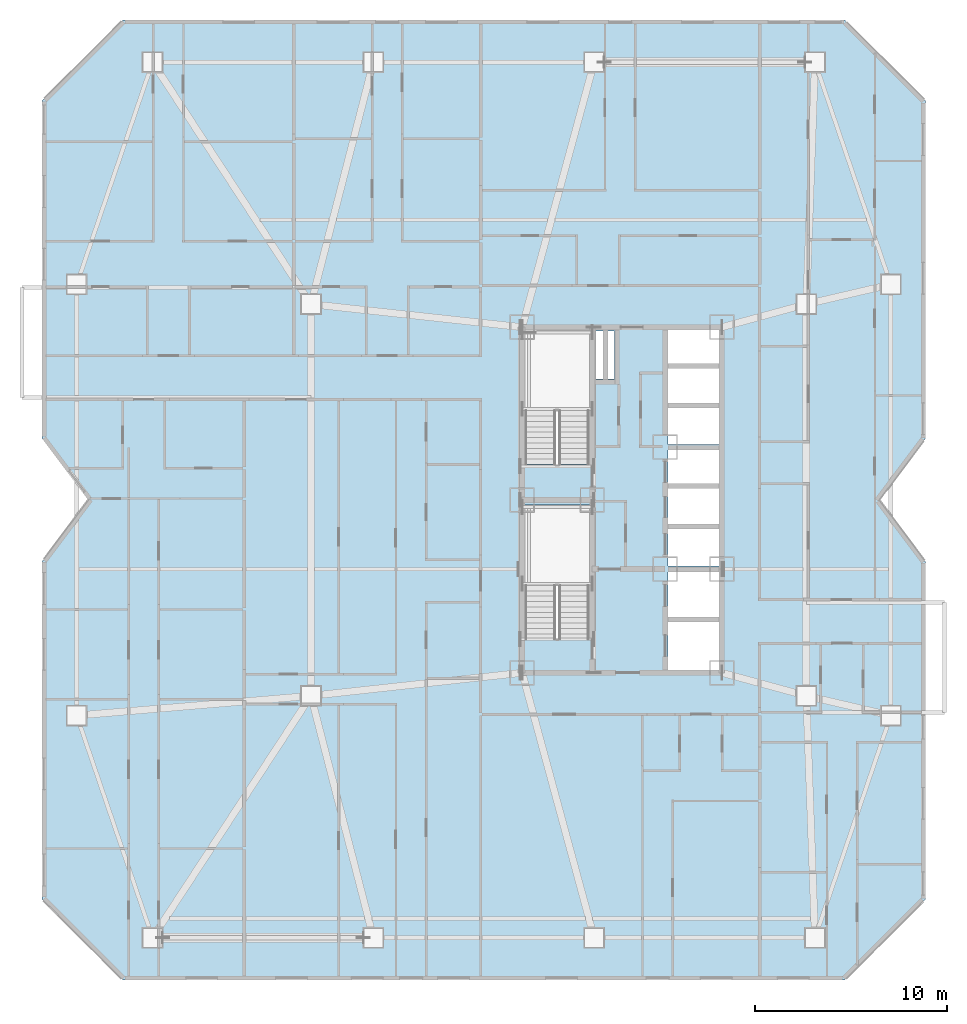
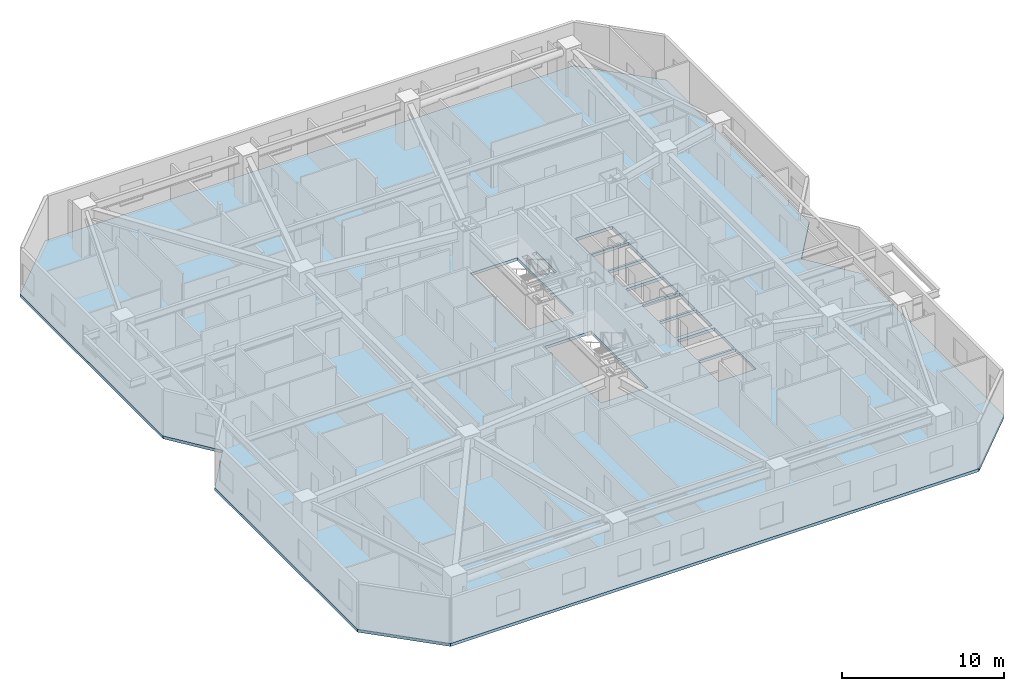
# One storey, part 3 of 17: 1 slab.
"""IFC4 building model written with IfcOpenShell, lengths in metres."""

import ifcopenshell
import ifcopenshell.guid

model = None  # the IFC model being written
_history = None  # IfcOwnerHistory: only IFC2X3 demands one
_inside = {}  # id of a spatial element -> (the spatial element, [elements in it])
_under = {}  # id of a project, library or spatial element -> (it, [spatial elements below it])
_declared = {}  # id of a project -> (the project, [libraries it declares])
_typed = {}  # id of a type object -> (the type object, [elements of that type])
_made_of = {}  # id of a material, layer set ... -> (it, [elements and type objects made of it])


def new_model(schema):
    """Start an empty IFC model of exactly this schema.

    Asked for "IFC4X3", IfcOpenShell would pick the latest addendum, in which some entities
    have other attributes; the version numbers below select the first issue.
    IFC2X3 requires an IfcOwnerHistory on every rooted entity: one is made here for all.
    """
    global model, _history
    if schema == "IFC4X3":
        model = ifcopenshell.file(schema_version=(4, 3, 0, 0))
    else:
        model = ifcopenshell.file(schema=schema)
    _inside.clear()
    _under.clear()
    _declared.clear()
    _typed.clear()
    _made_of.clear()
    _history = None
    if model.schema == "IFC2X3":
        org = make("IfcOrganization", Name="unknown")
        user = make(
            "IfcPersonAndOrganization",
            ThePerson=make("IfcPerson", FamilyName="unknown"),
            TheOrganization=org,
        )
        app = make(
            "IfcApplication",
            ApplicationDeveloper=org,
            Version="unknown",
            ApplicationFullName="unknown",
            ApplicationIdentifier="unknown",
        )
        _history = make(
            "IfcOwnerHistory",
            OwningUser=user,
            OwningApplication=app,
            ChangeAction="ADDED",
            CreationDate=0,
        )
    return model


def make(cls, **values):
    """One entity of the class cls with the attributes given. An attribute that is None is left unset."""
    return model.create_entity(
        cls, **{name: value for name, value in values.items() if value is not None}
    )


def rooted(cls, **values):
    """An entity with a GlobalId (a new one), such as an element, a storey or a relation."""
    return make(cls, GlobalId=ifcopenshell.guid.new(), OwnerHistory=_history, **values)


def si_unit(unit_type, name, prefix=None):
    """IfcSIUnit, for example si_unit("LENGTHUNIT", "METRE", prefix="MILLI")."""
    return make("IfcSIUnit", UnitType=unit_type, Prefix=prefix, Name=name)


def assignment(units):
    """IfcUnitAssignment: the units of a project."""
    return None if units is None else make("IfcUnitAssignment", Units=units)


def point(xyz):
    """IfcCartesianPoint."""
    return None if xyz is None else make("IfcCartesianPoint", Coordinates=xyz)


def direction(xyz):
    """IfcDirection."""
    return None if xyz is None else make("IfcDirection", DirectionRatios=xyz)


def frame(location, z_axis=None, x_axis=None):
    """IfcAxis2Placement3D, a coordinate frame: its origin and axes. An axis left out is left unset."""
    return make(
        "IfcAxis2Placement3D",
        Location=point(location),
        Axis=direction(z_axis),
        RefDirection=direction(x_axis),
    )


def origin():
    """The frame at (0, 0, 0) with its axes left unset."""
    return frame((0.0, 0.0, 0.0))


def place(relative_to, where):
    """IfcLocalPlacement: puts the frame where relative to a parent placement (None: the world)."""
    return make(
        "IfcLocalPlacement", PlacementRelTo=relative_to, RelativePlacement=where
    )


def context(
    kind, dimensions, precision=None, world=None, true_north=None, identifier=None
):
    """IfcGeometricRepresentationContext, for example the 3D "Model" context."""
    return make(
        "IfcGeometricRepresentationContext",
        ContextIdentifier=identifier,
        ContextType=kind,
        CoordinateSpaceDimension=dimensions,
        Precision=precision,
        WorldCoordinateSystem=world,
        TrueNorth=true_north,
    )


def subcontext(parent, identifier, kind, view, scale=None):
    """IfcGeometricRepresentationSubContext, for example "Body" below "Model"."""
    return make(
        "IfcGeometricRepresentationSubContext",
        ContextIdentifier=identifier,
        ContextType=kind,
        ParentContext=parent,
        TargetScale=scale,
        TargetView=view,
    )


def project(units=None, contexts=None):
    """IfcProject with its units and contexts."""
    return rooted(
        "IfcProject",
        Name="project",
        RepresentationContexts=contexts,
        UnitsInContext=assignment(units),
    )


def spatial(cls, under=None, at=None, **own):
    """A site, building, storey or space (cls), placed at a placement, below another one or the project."""
    s = rooted(cls, ObjectPlacement=at, **own)
    if under is not None:
        _under.setdefault(under.id(), (under, []))[1].append(s)
    return s


def polyline(points):
    """IfcPolyline through the points."""
    return make("IfcPolyline", Points=[point(p) for p in points])


def outline(outer, holes=None, kind="AREA"):
    """IfcArbitraryClosedProfileDef: a profile drawn as a closed curve; with holes, ...WithVoids."""
    if holes is None:
        return make("IfcArbitraryClosedProfileDef", ProfileType=kind, OuterCurve=outer)
    return make(
        "IfcArbitraryProfileDefWithVoids",
        ProfileType=kind,
        OuterCurve=outer,
        InnerCurves=holes,
    )


def extrude(swept, where, along, depth):
    """IfcExtrudedAreaSolid: the profile swept, set in the frame where, extruded along a direction by depth."""
    return make(
        "IfcExtrudedAreaSolid",
        SweptArea=swept,
        Position=where,
        ExtrudedDirection=direction(along),
        Depth=depth,
    )


def shape(context_of_items, identifier, shape_type, items):
    """IfcShapeRepresentation: the items that make up one representation, for example the "Body"."""
    return make(
        "IfcShapeRepresentation",
        ContextOfItems=context_of_items,
        RepresentationIdentifier=identifier,
        RepresentationType=shape_type,
        Items=items,
    )


def material(Name=None, Category=None):
    """IfcMaterial."""
    return make("IfcMaterial", Name=Name, Category=Category)


def layer(
    of_material, thickness, ventilated=None, Name=None, Category=None, Priority=None
):
    """IfcMaterialLayer: one layer of a wall or slab, of a material (None: an air gap)."""
    return make(
        "IfcMaterialLayer",
        Material=of_material,
        LayerThickness=thickness,
        IsVentilated=ventilated,
        Name=Name,
        Category=Category,
        Priority=Priority,
    )


def layer_set(layers, Name=None):
    """IfcMaterialLayerSet."""
    return make("IfcMaterialLayerSet", MaterialLayers=layers, LayerSetName=Name)


def made_of(thing, what):
    """Note that an element or type object is made of a material, layer set ...; save() writes the relation."""
    if what is not None:
        _made_of.setdefault(what.id(), (what, []))[1].append(thing)
    return thing


def type_object(cls, material=None, **own):
    """A type object (cls), such as IfcWallType, which elements share."""
    return made_of(rooted(cls, **own), material)


def element(
    cls,
    number,
    at=None,
    inside=None,
    cuts=None,
    type_object=None,
    material=None,
    context=None,
    identifier="Body",
    shape_type=None,
    held_by="IfcProductDefinitionShape",
    body=None,
    shapes=None,
    **own,
):
    """One element of the class cls, such as IfcWall. Its Tag is "e" and its number.

    at: its placement. inside: the storey or other place that contains it. cuts: it is an
    opening in that element (IfcRelVoidsElement). A single representation is given by context,
    identifier, shape_type and body (its items); several are given by shapes. held_by: the class
    of the entity that holds the representations. save() writes the other relations.
    """
    e = rooted(cls, Tag="e%d" % number, ObjectPlacement=at, **own)
    if body is not None:
        shapes = [shape(context, identifier, shape_type, body)]
    if shapes is not None:
        e.Representation = make(held_by, Representations=shapes)
    if inside is not None:
        _inside.setdefault(inside.id(), (inside, []))[1].append(e)
    if cuts is not None:
        rooted(
            "IfcRelVoidsElement", RelatingBuildingElement=cuts, RelatedOpeningElement=e
        )
    if type_object is not None:
        _typed.setdefault(type_object.id(), (type_object, []))[1].append(e)
    return made_of(e, material)


def aggregate(whole, parts):
    """IfcRelAggregates: a whole, such as a stair, and the parts it consists of."""
    return rooted("IfcRelAggregates", RelatingObject=whole, RelatedObjects=parts)


def save(model, path):
    """Write the relations noted so far, then the file.

    IfcRelAggregates (storeys below a building ...), IfcRelContainedInSpatialStructure (elements
    in a storey), IfcRelDefinesByType, IfcRelAssociatesMaterial and IfcRelDeclares: one each for
    every whole, place, type object, material and project.
    """
    for whole, parts in _under.values():
        aggregate(whole, parts)
    for where, things in _inside.values():
        rooted(
            "IfcRelContainedInSpatialStructure",
            RelatedElements=things,
            RelatingStructure=where,
        )
    for kind, things in _typed.values():
        rooted("IfcRelDefinesByType", RelatedObjects=things, RelatingType=kind)
    for what, things in _made_of.values():
        rooted("IfcRelAssociatesMaterial", RelatedObjects=things, RelatingMaterial=what)
    for by, libraries in _declared.values():
        rooted("IfcRelDeclares", RelatingContext=by, RelatedDefinitions=libraries)
    model.write(path)


model = new_model("IFC4")

# Units and contexts
model_context = context("Model", 3, precision=1e-05, world=origin(), true_north=direction((0.0, 1.0)))
body_context = subcontext(model_context, "Body", "Model", "MODEL_VIEW")
ifc_project = project(units=[si_unit("LENGTHUNIT", "METRE"), si_unit("AREAUNIT", "SQUARE_METRE"), si_unit("VOLUMEUNIT", "CUBIC_METRE"), si_unit("PLANEANGLEUNIT", "RADIAN"), si_unit("MASSUNIT", "GRAM", prefix="KILO")], contexts=[model_context])

# Site, building, storey
site_placement = place(None, origin())
site = spatial("IfcSite", under=ifc_project, at=site_placement, CompositionType="ELEMENT")
building_placement = place(site_placement, origin())
building = spatial("IfcBuilding", under=site, at=building_placement, Name="Khamvora Tower", CompositionType="ELEMENT")
storey_placement = place(building_placement, frame((0.0, 0.0, 73.449951171875)))
storey = spatial("IfcBuildingStorey", under=building, at=storey_placement, Name="L18", CompositionType="ELEMENT", Elevation=73.449951171875)

# Slab
ifc_material = material(Name="Concrete C35/45", Category="concrete")
ifc_layer = layer(ifc_material, 0.219970703125)
ifc_layer_set = layer_set([ifc_layer], Name="Concrete C35/45")
slab_type = type_object("IfcSlabType", Name="SLB-TYP-220", PredefinedType="FLOOR", material=ifc_layer_set)
slab_placement = place(storey_placement, frame((0.0, 0.0, -0.219970703125)))
element("IfcSlab", 1, at=slab_placement, inside=storey, type_object=slab_type, Name="L18 structural floor slab", PredefinedType="FLOOR", context=body_context, shape_type="SweptSolid", body=[
    extrude(outline(polyline([(8.199951171875, 3.0), (45.800048828125, 3.0), (50.0, 7.199951171875), (50.0, 24.800048828125), (47.60009765625, 28.0), (50.0, 31.199951171875), (50.0, 48.800048828125), (45.800048828125, 53.0), (8.199951171875, 53.0), (4.0, 48.800048828125), (4.0, 31.199951171875), (6.39990234375, 28.0), (4.0, 24.800048828125), (4.0, 7.199951171875), (8.199951171875, 3.0)]), holes=[polyline([(32.5, 20.760009765625), (32.5, 27.75), (29.14990234375, 27.75), (29.14990234375, 20.760009765625), (32.5, 20.760009765625)]), polyline([(32.5, 29.860107421875), (32.5, 36.85009765625), (29.14990234375, 36.85009765625), (29.14990234375, 29.860107421875), (32.5, 29.860107421875)]), polyline([(36.60009765625, 19.14990234375), (39.25, 19.14990234375), (39.25, 21.64990234375), (36.60009765625, 21.64990234375), (36.60009765625, 19.14990234375)]), polyline([(36.60009765625, 21.800048828125), (39.25, 21.800048828125), (39.25, 24.25), (36.60009765625, 24.25), (36.60009765625, 21.800048828125)]), polyline([(36.60009765625, 24.550048828125), (39.25, 24.550048828125), (39.25, 26.5), (36.60009765625, 26.5), (36.60009765625, 24.550048828125)]), polyline([(36.60009765625, 26.64990234375), (39.25, 26.64990234375), (39.25, 28.60009765625), (36.60009765625, 28.60009765625), (36.60009765625, 26.64990234375)]), polyline([(36.60009765625, 28.75), (39.25, 28.75), (39.25, 30.60009765625), (36.60009765625, 30.60009765625), (36.60009765625, 28.75)]), polyline([(36.60009765625, 30.89990234375), (39.25, 30.89990234375), (39.25, 32.800048828125), (36.60009765625, 32.800048828125), (36.60009765625, 30.89990234375)]), polyline([(36.60009765625, 32.949951171875), (39.25, 32.949951171875), (39.25, 34.85009765625), (36.60009765625, 34.85009765625), (36.60009765625, 32.949951171875)]), polyline([(36.60009765625, 35.0), (39.25, 35.0), (39.25, 36.85009765625), (36.60009765625, 36.85009765625), (36.60009765625, 35.0)]), polyline([(32.800048828125, 34.300048828125), (33.199951171875, 34.300048828125), (33.199951171875, 36.800048828125), (32.800048828125, 36.800048828125), (32.800048828125, 34.300048828125)]), polyline([(33.47998046875, 34.300048828125), (33.820068359375, 34.300048828125), (33.820068359375, 36.800048828125), (33.47998046875, 36.800048828125), (33.47998046875, 34.300048828125)])]), origin(), (0.0, 0.0, 1.0), 0.219970703125),
])

save(model, "model.ifc")
